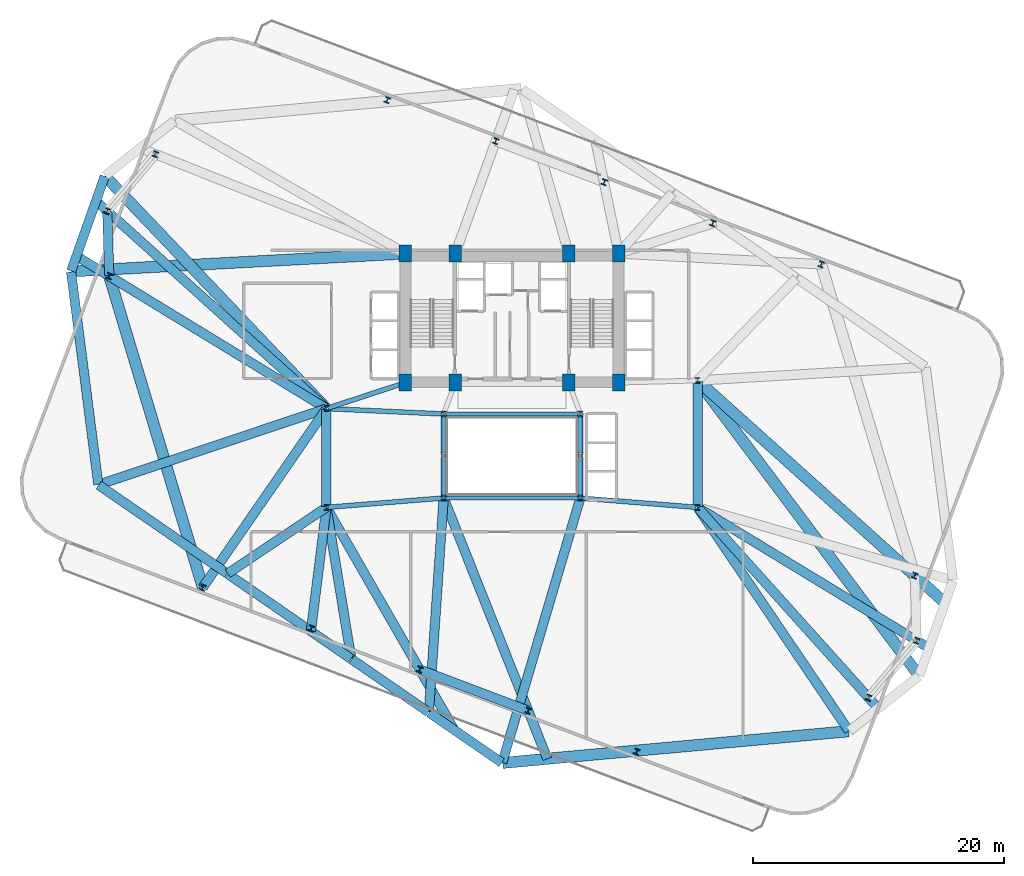
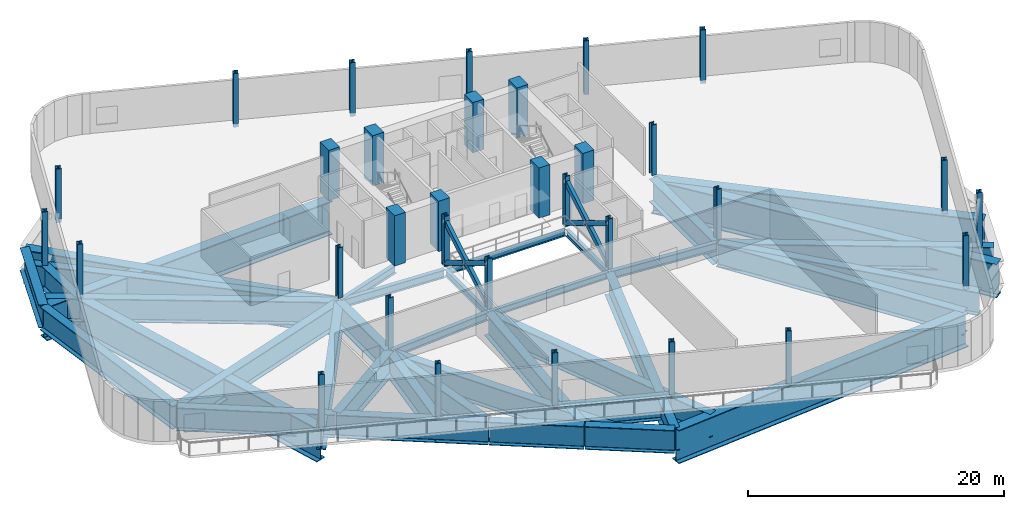
# One storey, part 1 of 11: 38 beams, 32 columns, 6 members.
"""IFC4 building model written with IfcOpenShell, lengths in metres."""

from ifc_helpers import new_model, si_unit, direction, frame, origin, origin_2d, place, context, subcontext, project, spatial, rectangle, hollow_rectangle, hollow_circle, i_section, extrude, material, material_profile, profile_set, type_object, element, save


model = new_model("IFC4")

# Units and contexts
model_context = context("Model", 3, precision=1e-05, world=origin(), true_north=direction((0.0, 1.0)))
body_context = subcontext(model_context, "Body", "Model", "MODEL_VIEW")
ifc_project = project(units=[si_unit("LENGTHUNIT", "METRE"), si_unit("AREAUNIT", "SQUARE_METRE"), si_unit("VOLUMEUNIT", "CUBIC_METRE"), si_unit("PLANEANGLEUNIT", "RADIAN"), si_unit("MASSUNIT", "GRAM", prefix="KILO")], contexts=[model_context])

# Site, building, storey
site_placement = place(None, origin())
site = spatial("IfcSite", under=ifc_project, at=site_placement, CompositionType="ELEMENT")
building_placement = place(site_placement, origin())
building = spatial("IfcBuilding", under=site, at=building_placement, Name="Varnelok Gate Tower", CompositionType="ELEMENT")
storey_placement = place(building_placement, frame((0.0, 0.0, 71.39990234375)))
storey = spatial("IfcBuildingStorey", under=building, at=storey_placement, Name="L17", CompositionType="ELEMENT", Elevation=71.39990234375)

# Columns
ifc_material_1 = material(Name="Concrete C70/85", Category="concrete")
ifc_material_profile_1 = material_profile(ifc_material_1, rectangle(XDim=1.0, YDim=1.35009765625, at=origin_2d()), Name="RC1350X1000")
ifc_profile_set_1 = profile_set([ifc_material_profile_1], Name="Concrete C70/85")
column_type_1 = type_object("IfcColumnType", Name="COL-RC1350X1000", PredefinedType="COLUMN", material=ifc_profile_set_1)
for number, where, z_axis, x_axis, name in (
    (1, (30.699951171875, 28.75, 0.0), (0.0, 0.0, 1.0), (1.0, 0.0, 0.0), "L17 Core Spine Column SC1"),
    (2, (34.679931640625, 28.75, 0.0), (0.0, 0.0, 1.0), (1.0, 0.0, 0.0), "L17 Core Spine Column SC2"),
    (3, (43.719970703125, 28.75, 0.0), (0.0, 0.0, 1.0), (1.0, 0.0, 0.0), "L17 Core Spine Column SC3"),
    (4, (47.699951171875, 28.75, 0.0), (0.0, 0.0, 1.0), (1.0, 0.0, 0.0), "L17 Core Spine Column SC4"),
    (5, (30.699951171875, 39.050048828125, 0.0), (0.0, 0.0, 1.0), (1.0, 0.0, 0.0), "L17 Core Spine Column SC5"),
    (6, (34.679931640625, 39.050048828125, 0.0), (0.0, 0.0, 1.0), (1.0, 0.0, 0.0), "L17 Core Spine Column SC6"),
    (7, (43.719970703125, 39.050048828125, 0.0), (0.0, 0.0, 1.0), (1.0, 0.0, 0.0), "L17 Core Spine Column SC7"),
    (8, (47.699951171875, 39.050048828125, 0.0), (0.0, 0.0, 1.0), (1.0, 0.0, 0.0), "L17 Core Spine Column SC8"),
):
    element("IfcColumn", number, at=place(storey_placement, frame(where, z_axis=z_axis, x_axis=x_axis)), inside=storey, type_object=column_type_1, Name=name, PredefinedType="COLUMN", context=body_context, shape_type="SweptSolid", body=[
        extrude(rectangle(XDim=1.0, YDim=1.35009765625, at=origin_2d()), origin(), (0.0, 0.0, 1.0), 4.800048828125),
    ])
ifc_material_2 = material(Name="Structural Steel ASTM A992 Grade 50", Category="steel")
ifc_material_profile_2 = material_profile(ifc_material_2, i_section(OverallWidth=0.424072265625, OverallDepth=0.47412109375, WebThickness=0.047607421875, FlangeThickness=0.0771484375, FilletRadius=0.02490234375, at=origin_2d()), Name="W14X426")
ifc_profile_set_2 = profile_set([ifc_material_profile_2], Name="Structural Steel ASTM A992 Grade 50")
column_type_2 = type_object("IfcColumnType", Name="COL-W14X426", PredefinedType="COLUMN", material=ifc_profile_set_2)
for number, where, z_axis, x_axis, name in (
    (9, (33.75, 19.550048828125, 0.0), (0.0, 0.0, 1.0), (1.0, 0.0, 0.0), "L17 Atrium Spine Column AC1"),
    (10, (44.64990234375, 19.550048828125, 0.0), (0.0, 0.0, 1.0), (1.0, 0.0, 0.0), "L17 Atrium Spine Column AC2"),
    (11, (33.75, 26.25, 0.0), (0.0, 0.0, 1.0), (1.0, 0.0, 0.0), "L17 Atrium Spine Column AC3"),
    (12, (44.64990234375, 26.25, 0.0), (0.0, 0.0, 1.0), (1.0, 0.0, 0.0), "L17 Atrium Spine Column AC4"),
    (13, (24.39990234375, 18.800048828125, 0.0), (0.0, 0.0, 1.0), (1.0, 0.0, 0.0), "L17 Wing Spine Column WS1"),
    (14, (24.39990234375, 26.679931640625, 0.0), (0.0, 0.0, 1.0), (1.0, 0.0, 0.0), "L17 Wing Spine Column WS2"),
    (15, (54.0, 18.800048828125, 0.0), (0.0, 0.0, 1.0), (1.0, 0.0, 0.0), "L17 Wing Spine Column ES1"),
    (16, (54.0, 28.919921875, 0.0), (0.0, 0.0, 1.0), (1.0, 0.0, 0.0), "L17 Wing Spine Column ES2"),
):
    element("IfcColumn", number, at=place(storey_placement, frame(where, z_axis=z_axis, x_axis=x_axis)), inside=storey, type_object=column_type_2, Name=name, PredefinedType="COLUMN", context=body_context, shape_type="SweptSolid", body=[
        extrude(i_section(OverallWidth=0.424072265625, OverallDepth=0.47412109375, WebThickness=0.047607421875, FlangeThickness=0.0771484375, FilletRadius=0.02490234375, at=origin_2d()), origin(), (0.0, 0.0, 1.0), 4.800048828125),
    ])
for number, where, z_axis, x_axis, name in (
    (17, (14.541015625, 12.416259765625, -0.31982421875), (0.0, 0.0, 1.0), (0.935221751401, -0.354062530786, 0.0), "L17 B2 Perimeter Column PC01"),
    (18, (23.19189453125, 9.14111328125, -0.31982421875), (0.0, 0.0, 1.0), (0.935221751401, -0.354062530786, 0.0), "L17 B2 Perimeter Column PC02"),
    (19, (31.842529296875, 5.8662109375, -0.31982421875), (0.0, 0.0, 1.0), (0.935221751401, -0.354062530786, 0.0), "L17 B2 Perimeter Column PC03"),
    (20, (40.493408203125, 2.591064453125, -0.31982421875), (0.0, 0.0, 1.0), (0.935221751401, -0.354062530786, 0.0), "L17 B2 Perimeter Column PC04"),
    (21, (49.144287109375, -0.68408203125, -0.31982421875), (0.0, 0.0, 1.0), (0.935221751401, -0.354062530786, 0.0), "L17 B2 Perimeter Column PC05"),
    (22, (67.63671875, 3.627685546875, -0.31982421875), (0.0, 0.0, 1.0), (0.935221751401, -0.354062530786, 0.0), "L17 B2 Perimeter Column PC06"),
    (23, (71.4765625, 8.172607421875, -0.31982421875), (0.0, 0.0, 1.0), (0.935221751401, -0.354062530786, 0.0), "L17 B2 Perimeter Column PC07"),
    (24, (71.319091796875, 13.35400390625, -0.31982421875), (0.0, 0.0, 1.0), (0.935221751401, -0.354062530786, 0.0), "L17 B2 Perimeter Column PC08"),
    (25, (63.85888671875, 38.183837890625, -0.31982421875), (0.0, 0.0, 1.0), (0.935221751401, -0.354062530786, 0.0), "L17 B2 Perimeter Column PC09"),
    (26, (55.208251953125, 41.458740234375, -0.31982421875), (0.0, 0.0, 1.0), (0.935221751401, -0.354062530786, 0.0), "L17 B2 Perimeter Column PC10"),
    (27, (46.557373046875, 44.73388671875, -0.31982421875), (0.0, 0.0, 1.0), (0.935221751401, -0.354062530786, 0.0), "L17 B2 Perimeter Column PC11"),
    (28, (37.906494140625, 48.009033203125, -0.31982421875), (0.0, 0.0, 1.0), (0.935221751401, -0.354062530786, 0.0), "L17 B2 Perimeter Column PC12"),
    (29, (29.255859375, 51.2841796875, -0.31982421875), (0.0, 0.0, 1.0), (0.935221751401, -0.354062530786, 0.0), "L17 B2 Perimeter Column PC13"),
    (30, (10.76318359375, 46.972412109375, -0.31982421875), (0.0, 0.0, 1.0), (0.935221751401, -0.354062530786, 0.0), "L17 B2 Perimeter Column PC14"),
    (31, (6.92333984375, 42.427490234375, -0.31982421875), (0.0, 0.0, 1.0), (0.935221751401, -0.354062530786, 0.0), "L17 B2 Perimeter Column PC15"),
    (32, (7.0810546875, 37.24609375, -0.31982421875), (0.0, 0.0, 1.0), (0.935221751401, -0.354062530786, 0.0), "L17 B2 Perimeter Column PC16"),
):
    element("IfcColumn", number, at=place(storey_placement, frame(where, z_axis=z_axis, x_axis=x_axis)), inside=storey, type_object=column_type_2, Name=name, PredefinedType="COLUMN", context=body_context, shape_type="SweptSolid", body=[
        extrude(i_section(OverallWidth=0.424072265625, OverallDepth=0.47412109375, WebThickness=0.047607421875, FlangeThickness=0.0771484375, FilletRadius=0.02490234375, at=origin_2d()), origin(), (0.0, 0.0, 1.0), 5.119873046875),
    ])

# Beams
ifc_material_profile_3 = material_profile(ifc_material_2, i_section(OverallWidth=0.381103515625, OverallDepth=0.77294921875, WebThickness=0.0166015625, FlangeThickness=0.027099609375, FilletRadius=0.02197265625, at=origin_2d()), Name="W30X173")
ifc_profile_set_3 = profile_set([ifc_material_profile_3], Name="Structural Steel ASTM A992 Grade 50")
beam_type_1 = type_object("IfcBeamType", Name="BM-PRI-W30X173", PredefinedType="BEAM", material=ifc_profile_set_3)
beam_1_placement = place(storey_placement, frame((24.51953125, 18.8095703125, -0.706298828125), z_axis=(0.996799206292, 0.07994587128, 0.0), x_axis=(-0.07994587128, 0.996799206292, 0.0)))
element("IfcBeam", 33, at=beam_1_placement, inside=storey, type_object=beam_type_1, Name="L17 Core-Atrium Spine Beam 14", PredefinedType="BEAM", context=body_context, shape_type="SweptSolid", body=[
    extrude(i_section(OverallWidth=0.381103515625, OverallDepth=0.77294921875, WebThickness=0.0166015625, FlangeThickness=0.027099609375, FilletRadius=0.02197265625, at=origin_2d()), origin(), (0.0, 0.0, 1.0), 9.14013671875),
])
beam_2_placement = place(storey_placement, frame((24.52001953125, 26.674560546875, -0.706298828125), z_axis=(0.99894427814, -0.045938319209, 0.0), x_axis=(0.045938319209, 0.99894427814, 0.0)))
element("IfcBeam", 34, at=beam_2_placement, inside=storey, type_object=beam_type_1, Name="L17 Core-Atrium Spine Beam 15", PredefinedType="BEAM", context=body_context, shape_type="SweptSolid", body=[
    extrude(i_section(OverallWidth=0.381103515625, OverallDepth=0.77294921875, WebThickness=0.0166015625, FlangeThickness=0.027099609375, FilletRadius=0.02197265625, at=origin_2d()), origin(), (0.0, 0.0, 1.0), 9.11962890625),
])
beam_3_placement = place(storey_placement, frame((24.513916015625, 26.717529296875, -0.706298828125), z_axis=(0.950041943788, 0.312122259768, 0.0), x_axis=(-0.312122259768, 0.950041943788, 0.0)))
element("IfcBeam", 35, at=beam_3_placement, inside=storey, type_object=beam_type_1, Name="L17 Core-Atrium Spine Beam 17", PredefinedType="BEAM", context=body_context, shape_type="SweptSolid", body=[
    extrude(i_section(OverallWidth=0.381103515625, OverallDepth=0.77294921875, WebThickness=0.0166015625, FlangeThickness=0.027099609375, FilletRadius=0.02197265625, at=origin_2d()), origin(), (0.0, 0.0, 1.0), 6.391357421875),
])
beam_4_placement = place(storey_placement, frame((44.76953125, 19.540283203125, -0.706298828125), z_axis=(0.996799206292, -0.07994587128, 0.0), x_axis=(0.07994587128, 0.996799206292, 0.0)))
element("IfcBeam", 36, at=beam_4_placement, inside=storey, type_object=beam_type_1, Name="L17 Core-Atrium Spine Beam 18", PredefinedType="BEAM", context=body_context, shape_type="SweptSolid", body=[
    extrude(i_section(OverallWidth=0.381103515625, OverallDepth=0.77294921875, WebThickness=0.0166015625, FlangeThickness=0.027099609375, FilletRadius=0.02197265625, at=origin_2d()), origin(), (0.0, 0.0, 1.0), 9.14013671875),
])
ifc_material_profile_4 = material_profile(ifc_material_2, i_section(OverallWidth=0.323974609375, OverallDepth=0.611083984375, WebThickness=0.0126953125, FlangeThickness=0.01904296875, FilletRadius=0.01806640625, at=origin_2d()), Name="W24X104")
ifc_profile_set_4 = profile_set([ifc_material_profile_4], Name="Structural Steel ASTM A992 Grade 50")
beam_type_2 = type_object("IfcBeamType", Name="BM-SPN-W24X104", PredefinedType="SPANDREL", material=ifc_profile_set_4)
for number, where, z_axis, x_axis, name in (
    (37, (33.8701171875, 19.550048828125, -0.62548828125), (1.0, 0.0, 0.0), (0.0, 1.0, 0.0), "L17 Core-Atrium Spine Beam 8"),
    (38, (33.8701171875, 26.25, -0.62548828125), (1.0, 0.0, 0.0), (0.0, 1.0, 0.0), "L17 Core-Atrium Spine Beam 9"),
):
    element("IfcBeam", number, at=place(storey_placement, frame(where, z_axis=z_axis, x_axis=x_axis)), inside=storey, type_object=beam_type_2, Name=name, PredefinedType="SPANDREL", context=body_context, shape_type="SweptSolid", body=[
        extrude(i_section(OverallWidth=0.323974609375, OverallDepth=0.611083984375, WebThickness=0.0126953125, FlangeThickness=0.01904296875, FilletRadius=0.01806640625, at=origin_2d()), origin(), (0.0, 0.0, 1.0), 10.659912109375),
    ])
for number, where, z_axis, x_axis, name in (
    (39, (33.75, 19.669921875, -0.62548828125), (0.0, 1.0, 0.0), (-1.0, 0.0, 0.0), "L17 Core-Atrium Spine Beam 10"),
    (40, (44.64990234375, 19.669921875, -0.62548828125), (0.0, 1.0, 0.0), (-1.0, 0.0, 0.0), "L17 Core-Atrium Spine Beam 11"),
):
    element("IfcBeam", number, at=place(storey_placement, frame(where, z_axis=z_axis, x_axis=x_axis)), inside=storey, type_object=beam_type_2, Name=name, PredefinedType="SPANDREL", context=body_context, shape_type="SweptSolid", body=[
        extrude(i_section(OverallWidth=0.323974609375, OverallDepth=0.611083984375, WebThickness=0.0126953125, FlangeThickness=0.01904296875, FilletRadius=0.01806640625, at=origin_2d()), origin(), (0.0, 0.0, 1.0), 6.4599609375),
    ])
ifc_material_3 = material(Name="Structural Steel ASTM A572 Grade 50", Category="steel")
ifc_material_profile_5 = material_profile(ifc_material_3, i_section(OverallWidth=0.75, OverallDepth=2.199951171875, WebThickness=0.031982421875, FlangeThickness=0.06005859375, FilletRadius=0.028076171875, at=origin_2d()), Name="PG2200X750")
ifc_profile_set_5 = profile_set([ifc_material_profile_5], Name="Structural Steel ASTM A572 Grade 50")
beam_type_3 = type_object("IfcBeamType", Name="BM-TR-PG2200", PredefinedType="BEAM", material=ifc_profile_set_5)
beam_5_placement = place(storey_placement, frame((24.39990234375, 18.8798828125, -1.419921875), z_axis=(0.0, 1.0, 0.0), x_axis=(-1.0, 0.0, 0.0)))
element("IfcBeam", 41, at=beam_5_placement, inside=storey, type_object=beam_type_3, Name="L17 Wing Spine Transfer Header W", PredefinedType="BEAM", context=body_context, shape_type="SweptSolid", body=[
    extrude(i_section(OverallWidth=0.75, OverallDepth=2.199951171875, WebThickness=0.031982421875, FlangeThickness=0.06005859375, FilletRadius=0.028076171875, at=origin_2d()), origin(), (0.0, 0.0, 1.0), 7.72021484375),
])
beam_6_placement = place(storey_placement, frame((54.0, 18.8798828125, -1.419921875), z_axis=(0.0, 1.0, 0.0), x_axis=(-1.0, 0.0, 0.0)))
element("IfcBeam", 42, at=beam_6_placement, inside=storey, type_object=beam_type_3, Name="L17 Wing Spine Transfer Header E", PredefinedType="BEAM", context=body_context, shape_type="SweptSolid", body=[
    extrude(i_section(OverallWidth=0.75, OverallDepth=2.199951171875, WebThickness=0.031982421875, FlangeThickness=0.06005859375, FilletRadius=0.028076171875, at=origin_2d()), origin(), (0.0, 0.0, 1.0), 9.960205078125),
])
beam_7_placement = place(storey_placement, frame((6.247314453125, 20.580078125, -1.419921875), z_axis=(0.823541475602, -0.567256060314, 0.0), x_axis=(0.567256060314, 0.823541475602, 0.0)))
element("IfcBeam", 43, at=beam_7_placement, inside=storey, type_object=beam_type_3, Name="L17 Transfer Support Ring Girder 1", PredefinedType="BEAM", context=body_context, shape_type="SweptSolid", body=[
    extrude(i_section(OverallWidth=0.75, OverallDepth=2.199951171875, WebThickness=0.031982421875, FlangeThickness=0.06005859375, FilletRadius=0.028076171875, at=origin_2d()), origin(), (0.0, 0.0, 1.0), 12.420166015625),
])
beam_8_placement = place(storey_placement, frame((16.54150390625, 13.4892578125, -1.419921875), z_axis=(0.823531840328, -0.567270048536, 0.0), x_axis=(0.567270048536, 0.823531840328, 0.0)))
element("IfcBeam", 44, at=beam_8_placement, inside=storey, type_object=beam_type_3, Name="L17 Transfer Support Ring Girder 2", PredefinedType="BEAM", context=body_context, shape_type="SweptSolid", body=[
    extrude(i_section(OverallWidth=0.75, OverallDepth=2.199951171875, WebThickness=0.031982421875, FlangeThickness=0.06005859375, FilletRadius=0.028076171875, at=origin_2d()), origin(), (0.0, 0.0, 1.0), 11.920166015625),
])
beam_9_placement = place(storey_placement, frame((26.424072265625, 6.681884765625, -1.419921875), z_axis=(0.823541417634, -0.567256144473, 0.0), x_axis=(0.567256144473, 0.823541417634, 0.0)))
element("IfcBeam", 45, at=beam_9_placement, inside=storey, type_object=beam_type_3, Name="L17 Transfer Support Ring Girder 3", PredefinedType="BEAM", context=body_context, shape_type="SweptSolid", body=[
    extrude(i_section(OverallWidth=0.75, OverallDepth=2.199951171875, WebThickness=0.031982421875, FlangeThickness=0.06005859375, FilletRadius=0.028076171875, at=origin_2d()), origin(), (0.0, 0.0, 1.0), 7.419921875),
])
beam_10_placement = place(storey_placement, frame((32.6005859375, 2.427490234375, -1.419921875), z_axis=(0.82352709808, -0.567276933012, 0.0), x_axis=(0.567276933012, 0.82352709808, 0.0)))
element("IfcBeam", 46, at=beam_10_placement, inside=storey, type_object=beam_type_3, Name="L17 Transfer Support Ring Girder 4", PredefinedType="BEAM", context=body_context, shape_type="SweptSolid", body=[
    extrude(i_section(OverallWidth=0.75, OverallDepth=2.199951171875, WebThickness=0.031982421875, FlangeThickness=0.06005859375, FilletRadius=0.028076171875, at=origin_2d()), origin(), (0.0, 0.0, 1.0), 7.019775390625),
])
beam_11_placement = place(storey_placement, frame((6.716552734375, 45.19970703125, -1.419921875), z_axis=(-0.333894612912, -0.942610411288, 0.0), x_axis=(0.942610411288, -0.333894612912, 0.0)))
element("IfcBeam", 47, at=beam_11_placement, inside=storey, type_object=beam_type_3, Name="L17 Transfer Support Ring Girder 15", PredefinedType="BEAM", context=body_context, shape_type="SweptSolid", body=[
    extrude(i_section(OverallWidth=0.75, OverallDepth=2.199951171875, WebThickness=0.031982421875, FlangeThickness=0.06005859375, FilletRadius=0.028076171875, at=origin_2d()), origin(), (0.0, 0.0, 1.0), 7.9970703125),
])
beam_12_placement = place(storey_placement, frame((4.0380859375, 37.583984375, -1.419921875), z_axis=(0.127128618509, -0.991886240632, 0.0), x_axis=(0.991886240632, 0.127128618509, 0.0)))
element("IfcBeam", 48, at=beam_12_placement, inside=storey, type_object=beam_type_3, Name="L17 Transfer Support Ring Girder 16", PredefinedType="BEAM", context=body_context, shape_type="SweptSolid", body=[
    extrude(i_section(OverallWidth=0.75, OverallDepth=2.199951171875, WebThickness=0.031982421875, FlangeThickness=0.06005859375, FilletRadius=0.028076171875, at=origin_2d()), origin(), (0.0, 0.0, 1.0), 17.080322265625),
])
beam_13_placement = place(storey_placement, frame((24.362060546875, 26.667236328125, -1.419921875), z_axis=(-0.948443924434, -0.316944982931, 0.0), x_axis=(0.316944982931, -0.948443924434, 0.0)))
element("IfcBeam", 49, at=beam_13_placement, inside=storey, type_object=beam_type_3, Name="L17 Radial Transfer Main Girder 1", PredefinedType="BEAM", context=body_context, shape_type="SweptSolid", body=[
    extrude(i_section(OverallWidth=0.75, OverallDepth=2.199951171875, WebThickness=0.031982421875, FlangeThickness=0.06005859375, FilletRadius=0.028076171875, at=origin_2d()), origin(), (0.0, 0.0, 1.0), 19.093994140625),
])
beam_14_placement = place(storey_placement, frame((24.36669921875, 18.777587890625, -1.419921875), z_axis=(-0.830728025293, -0.556678496075, 0.0), x_axis=(0.556678496075, -0.830728025293, 0.0)))
element("IfcBeam", 50, at=beam_14_placement, inside=storey, type_object=beam_type_3, Name="L17 Radial Transfer Main Girder 2", PredefinedType="BEAM", context=body_context, shape_type="SweptSolid", body=[
    extrude(i_section(OverallWidth=0.75, OverallDepth=2.199951171875, WebThickness=0.031982421875, FlangeThickness=0.06005859375, FilletRadius=0.028076171875, at=origin_2d()), origin(), (0.0, 0.0, 1.0), 9.419189453125),
])
beam_15_placement = place(storey_placement, frame((24.406494140625, 18.760498046875, -1.419921875), z_axis=(0.162425328266, -0.986720838301, 0.0), x_axis=(0.986720838301, 0.162425328266, 0.0)))
element("IfcBeam", 51, at=beam_15_placement, inside=storey, type_object=beam_type_3, Name="L17 Radial Transfer Main Girder 3", PredefinedType="BEAM", context=body_context, shape_type="SweptSolid", body=[
    extrude(i_section(OverallWidth=0.75, OverallDepth=2.199951171875, WebThickness=0.031982421875, FlangeThickness=0.06005859375, FilletRadius=0.028076171875, at=origin_2d()), origin(), (0.0, 0.0, 1.0), 12.177978515625),
])
beam_16_placement = place(storey_placement, frame((33.747314453125, 19.510009765625, -1.419921875), z_axis=(-0.068989206128, -0.997617406343, 0.0), x_axis=(0.997617406343, -0.068989206128, 0.0)))
element("IfcBeam", 52, at=beam_16_placement, inside=storey, type_object=beam_type_3, Name="L17 Radial Transfer Main Girder 4", PredefinedType="BEAM", context=body_context, shape_type="SweptSolid", body=[
    extrude(i_section(OverallWidth=0.75, OverallDepth=2.199951171875, WebThickness=0.031982421875, FlangeThickness=0.06005859375, FilletRadius=0.028076171875, at=origin_2d()), origin(), (0.0, 0.0, 1.0), 17.060546875),
])
beam_17_placement = place(storey_placement, frame((44.638671875, 19.51171875, -1.419921875), z_axis=(-0.283067120424, -0.959100101832, 0.0), x_axis=(0.959100101832, -0.283067120424, 0.0)))
element("IfcBeam", 53, at=beam_17_placement, inside=storey, type_object=beam_type_3, Name="L17 Radial Transfer Main Girder 5", PredefinedType="BEAM", context=body_context, shape_type="SweptSolid", body=[
    extrude(i_section(OverallWidth=0.75, OverallDepth=2.199951171875, WebThickness=0.031982421875, FlangeThickness=0.06005859375, FilletRadius=0.028076171875, at=origin_2d()), origin(), (0.0, 0.0, 1.0), 21.948486328125),
])
beam_18_placement = place(storey_placement, frame((54.0224609375, 18.766845703125, -1.419921875), z_axis=(0.560678197039, -0.828033791198, 0.0), x_axis=(0.828033791198, 0.560678197039, 0.0)))
element("IfcBeam", 54, at=beam_18_placement, inside=storey, type_object=beam_type_3, Name="L17 Radial Transfer Main Girder 6", PredefinedType="BEAM", context=body_context, shape_type="SweptSolid", body=[
    extrude(i_section(OverallWidth=0.75, OverallDepth=2.199951171875, WebThickness=0.031982421875, FlangeThickness=0.06005859375, FilletRadius=0.028076171875, at=origin_2d()), origin(), (0.0, 0.0, 1.0), 21.47412109375),
])
beam_19_placement = place(storey_placement, frame((24.343017578125, 26.59765625, -1.419921875), z_axis=(-0.568586804366, -0.822623270946, 0.0), x_axis=(0.822623270946, -0.568586804366, 0.0)))
element("IfcBeam", 55, at=beam_19_placement, inside=storey, type_object=beam_type_3, Name="L17 Column Transfer Carrier Girder 1", PredefinedType="BEAM", context=body_context, shape_type="SweptSolid", body=[
    extrude(i_section(OverallWidth=0.75, OverallDepth=2.199951171875, WebThickness=0.031982421875, FlangeThickness=0.06005859375, FilletRadius=0.028076171875, at=origin_2d()), origin(), (0.0, 0.0, 1.0), 17.2392578125),
])
beam_20_placement = place(storey_placement, frame((24.3876953125, 18.70068359375, -1.419921875), z_axis=(-0.124126250098, -0.992266432989, 0.0), x_axis=(0.992266432989, -0.124126250098, 0.0)))
element("IfcBeam", 56, at=beam_20_placement, inside=storey, type_object=beam_type_3, Name="L17 Column Transfer Carrier Girder 2", PredefinedType="BEAM", context=body_context, shape_type="SweptSolid", body=[
    extrude(i_section(OverallWidth=0.75, OverallDepth=2.199951171875, WebThickness=0.031982421875, FlangeThickness=0.06005859375, FilletRadius=0.028076171875, at=origin_2d()), origin(), (0.0, 0.0, 1.0), 9.85009765625),
])
beam_21_placement = place(storey_placement, frame((24.449951171875, 18.71337890625, -1.419921875), z_axis=(0.498749501849, -0.866746176459, 0.0), x_axis=(0.866746176459, 0.498749501849, 0.0)))
element("IfcBeam", 57, at=beam_21_placement, inside=storey, type_object=beam_type_3, Name="L17 Column Transfer Carrier Girder 3", PredefinedType="BEAM", context=body_context, shape_type="SweptSolid", body=[
    extrude(i_section(OverallWidth=0.75, OverallDepth=2.199951171875, WebThickness=0.031982421875, FlangeThickness=0.06005859375, FilletRadius=0.028076171875, at=origin_2d()), origin(), (0.0, 0.0, 1.0), 20.397216796875),
])
beam_22_placement = place(storey_placement, frame((33.786865234375, 19.45703125, -1.419921875), z_axis=(0.369493200552, -0.929233433937, 0.0), x_axis=(0.929233433937, 0.369493200552, 0.0)))
element("IfcBeam", 58, at=beam_22_placement, inside=storey, type_object=beam_type_3, Name="L17 Column Transfer Carrier Girder 4", PredefinedType="BEAM", context=body_context, shape_type="SweptSolid", body=[
    extrude(i_section(OverallWidth=0.75, OverallDepth=2.199951171875, WebThickness=0.031982421875, FlangeThickness=0.06005859375, FilletRadius=0.028076171875, at=origin_2d()), origin(), (0.0, 0.0, 1.0), 22.28173828125),
])
beam_23_placement = place(storey_placement, frame((54.06689453125, 18.7255859375, -1.419921875), z_axis=(0.668470092738, -0.743739023526, 0.0), x_axis=(0.743739023526, 0.668470092738, 0.0)))
element("IfcBeam", 59, at=beam_23_placement, inside=storey, type_object=beam_type_3, Name="L17 Column Transfer Carrier Girder 6", PredefinedType="BEAM", context=body_context, shape_type="SweptSolid", body=[
    extrude(i_section(OverallWidth=0.75, OverallDepth=2.199951171875, WebThickness=0.031982421875, FlangeThickness=0.06005859375, FilletRadius=0.028076171875, at=origin_2d()), origin(), (0.0, 0.0, 1.0), 21.43994140625),
])
beam_24_placement = place(storey_placement, frame((54.08544921875, 18.748046875, -1.419921875), z_axis=(0.854426752733, -0.519571866265, 0.0), x_axis=(0.519571866265, 0.854426752733, 0.0)))
element("IfcBeam", 60, at=beam_24_placement, inside=storey, type_object=beam_type_3, Name="L17 Column Transfer Carrier Girder 7", PredefinedType="BEAM", context=body_context, shape_type="SweptSolid", body=[
    extrude(i_section(OverallWidth=0.75, OverallDepth=2.199951171875, WebThickness=0.031982421875, FlangeThickness=0.06005859375, FilletRadius=0.028076171875, at=origin_2d()), origin(), (0.0, 0.0, 1.0), 21.498779296875),
])
beam_25_placement = place(storey_placement, frame((24.32568359375, 26.746826171875, -1.419921875), z_axis=(-0.742899347791, 0.669403136422, 0.0), x_axis=(-0.669403136422, -0.742899347791, 0.0)))
element("IfcBeam", 61, at=beam_25_placement, inside=storey, type_object=beam_type_3, Name="L17 Column Transfer Carrier Girder 15", PredefinedType="BEAM", context=body_context, shape_type="SweptSolid", body=[
    extrude(i_section(OverallWidth=0.75, OverallDepth=2.199951171875, WebThickness=0.031982421875, FlangeThickness=0.06005859375, FilletRadius=0.028076171875, at=origin_2d()), origin(), (0.0, 0.0, 1.0), 24.637939453125),
])
beam_26_placement = place(storey_placement, frame((24.314697265625, 26.732177734375, -1.419921875), z_axis=(-0.853674014554, 0.520807715838, 0.0), x_axis=(-0.520807715838, -0.853674014554, 0.0)))
element("IfcBeam", 62, at=beam_26_placement, inside=storey, type_object=beam_type_3, Name="L17 Column Transfer Carrier Girder 16", PredefinedType="BEAM", context=body_context, shape_type="SweptSolid", body=[
    extrude(i_section(OverallWidth=0.75, OverallDepth=2.199951171875, WebThickness=0.031982421875, FlangeThickness=0.06005859375, FilletRadius=0.028076171875, at=origin_2d()), origin(), (0.0, 0.0, 1.0), 23.25244140625),
])
beam_27_placement = place(storey_placement, frame((31.8798828125, 5.851806640625, -1.419921875), z_axis=(0.935230515121, -0.354039381407, 0.0), x_axis=(0.354039381407, 0.935230515121, 0.0)))
element("IfcBeam", 63, at=beam_27_placement, inside=storey, type_object=beam_type_3, Name="L17 Upper Perimeter Transfer Ring 3", PredefinedType="BEAM", context=body_context, shape_type="SweptSolid", body=[
    extrude(i_section(OverallWidth=0.75, OverallDepth=2.199951171875, WebThickness=0.031982421875, FlangeThickness=0.06005859375, FilletRadius=0.028076171875, at=origin_2d()), origin(), (0.0, 0.0, 1.0), 9.170166015625),
])
beam_28_placement = place(storey_placement, frame((6.924560546875, 42.387451171875, -1.419921875), z_axis=(0.030422359137, -0.999537132909, 0.0), x_axis=(0.999537132909, 0.030422359137, 0.0)))
element("IfcBeam", 64, at=beam_28_placement, inside=storey, type_object=beam_type_3, Name="L17 Upper Perimeter Transfer Ring 15", PredefinedType="BEAM", context=body_context, shape_type="SweptSolid", body=[
    extrude(i_section(OverallWidth=0.75, OverallDepth=2.199951171875, WebThickness=0.031982421875, FlangeThickness=0.06005859375, FilletRadius=0.028076171875, at=origin_2d()), origin(), (0.0, 0.0, 1.0), 5.10400390625),
])
ifc_material_profile_6 = material_profile(ifc_material_3, i_section(OverallWidth=0.89990234375, OverallDepth=3.199951171875, WebThickness=0.0400390625, FlangeThickness=0.074951171875, FilletRadius=0.030029296875, at=origin_2d()), Name="PG3200X900")
ifc_profile_set_6 = profile_set([ifc_material_profile_6], Name="Structural Steel ASTM A572 Grade 50")
beam_type_4 = type_object("IfcBeamType", Name="BM-TR-PG3200", PredefinedType="BEAM", material=ifc_profile_set_6)
beam_29_placement = place(storey_placement, frame((38.454345703125, -1.573974609375, -1.919921875), z_axis=(0.995845179363, 0.09106249908, 0.0), x_axis=(-0.09106249908, 0.995845179363, 0.0)))
element("IfcBeam", 65, at=beam_29_placement, inside=storey, type_object=beam_type_4, Name="L17 Transfer Support Ring Girder 5", PredefinedType="BEAM", context=body_context, shape_type="SweptSolid", body=[
    extrude(i_section(OverallWidth=0.89990234375, OverallDepth=3.199951171875, WebThickness=0.0400390625, FlangeThickness=0.074951171875, FilletRadius=0.030029296875, at=origin_2d()), origin(), (0.0, 0.0, 1.0), 27.70556640625),
])
beam_30_placement = place(storey_placement, frame((54.02392578125, 28.887939453125, -1.919921875), z_axis=(0.600043892582, -0.799967078682, 0.0), x_axis=(0.799967078682, 0.600043892582, 0.0)))
element("IfcBeam", 66, at=beam_30_placement, inside=storey, type_object=beam_type_4, Name="L17 Radial Transfer Main Girder 7", PredefinedType="BEAM", context=body_context, shape_type="SweptSolid", body=[
    extrude(i_section(OverallWidth=0.89990234375, OverallDepth=3.199951171875, WebThickness=0.0400390625, FlangeThickness=0.074951171875, FilletRadius=0.030029296875, at=origin_2d()), origin(), (0.0, 0.0, 1.0), 29.367919921875),
])
beam_31_placement = place(storey_placement, frame((24.372314453125, 26.708984375, -1.919921875), z_axis=(-0.689576412398, 0.724212932406, 0.0), x_axis=(-0.724212932406, -0.689576412398, 0.0)))
element("IfcBeam", 67, at=beam_31_placement, inside=storey, type_object=beam_type_4, Name="L17 Radial Transfer Main Girder 15", PredefinedType="BEAM", context=body_context, shape_type="SweptSolid", body=[
    extrude(i_section(OverallWidth=0.89990234375, OverallDepth=3.199951171875, WebThickness=0.0400390625, FlangeThickness=0.074951171875, FilletRadius=0.030029296875, at=origin_2d()), origin(), (0.0, 0.0, 1.0), 25.544189453125),
])
beam_32_placement = place(storey_placement, frame((30.66015625, 39.0478515625, -1.919921875), z_axis=(-0.998573017553, -0.053403451339, 0.0), x_axis=(0.053403451339, -0.998573017553, 0.0)))
element("IfcBeam", 68, at=beam_32_placement, inside=storey, type_object=beam_type_4, Name="L17 Radial Transfer Main Girder 16", PredefinedType="BEAM", context=body_context, shape_type="SweptSolid", body=[
    extrude(i_section(OverallWidth=0.89990234375, OverallDepth=3.199951171875, WebThickness=0.0400390625, FlangeThickness=0.074951171875, FilletRadius=0.030029296875, at=origin_2d()), origin(), (0.0, 0.0, 1.0), 26.625244140625),
])
beam_33_placement = place(storey_placement, frame((54.074462890625, 28.853271484375, -1.919921875), z_axis=(0.74373995134, -0.668469060451, 0.0), x_axis=(0.668469060451, 0.74373995134, 0.0)))
element("IfcBeam", 69, at=beam_33_placement, inside=storey, type_object=beam_type_4, Name="L17 Column Transfer Carrier Girder 8", PredefinedType="BEAM", context=body_context, shape_type="SweptSolid", body=[
    extrude(i_section(OverallWidth=0.89990234375, OverallDepth=3.199951171875, WebThickness=0.0400390625, FlangeThickness=0.074951171875, FilletRadius=0.030029296875, at=origin_2d()), origin(), (0.0, 0.0, 1.0), 26.43115234375),
])
beam_34_placement = place(storey_placement, frame((7.092529296875, 37.207763671875, -1.919921875), z_axis=(0.287740428783, -0.957708434569, 0.0), x_axis=(0.957708434569, 0.287740428783, 0.0)))
element("IfcBeam", 70, at=beam_34_placement, inside=storey, type_object=beam_type_4, Name="L17 Upper Perimeter Transfer Ring 16", PredefinedType="BEAM", context=body_context, shape_type="SweptSolid", body=[
    extrude(i_section(OverallWidth=0.89990234375, OverallDepth=3.199951171875, WebThickness=0.0400390625, FlangeThickness=0.074951171875, FilletRadius=0.030029296875, at=origin_2d()), origin(), (0.0, 0.0, 1.0), 25.84619140625),
])

# Members
ifc_material_4 = material(Name="Structural Steel ASTM A500 Grade C", Category="steel")
ifc_material_profile_7 = material_profile(ifc_material_4, hollow_rectangle(XDim=0.300048828125, YDim=0.5, WallThickness=0.02001953125, at=origin_2d()), Name="HSS500X300X20")
ifc_profile_set_7 = profile_set([ifc_material_profile_7], Name="Structural Steel ASTM A500 Grade C")
member_type_1 = type_object("IfcMemberType", Name="MEM-OUT-BRACE1", PredefinedType="BRACE", material=ifc_profile_set_7)
for number, where, z_axis, x_axis, name in (
    (71, (33.75, 19.550048828125, 0.2001953125), (0.0, 0.858619967627, 0.512612671705), (-1.0, 0.0, 0.0), "L17 Plant Outrigger Diagonal 1"),
    (72, (44.64990234375, 19.550048828125, 0.2001953125), (0.0, 0.858619967627, 0.512612671705), (-1.0, 0.0, 0.0), "L17 Plant Outrigger Diagonal 2"),
):
    element("IfcMember", number, at=place(storey_placement, frame(where, z_axis=z_axis, x_axis=x_axis)), inside=storey, type_object=member_type_1, Name=name, PredefinedType="BRACE", context=body_context, shape_type="SweptSolid", body=[
        extrude(hollow_rectangle(XDim=0.300048828125, YDim=0.5, WallThickness=0.02001953125, at=origin_2d()), origin(), (0.0, 0.0, 1.0), 7.80322265625),
    ])
ifc_material_profile_8 = material_profile(ifc_material_4, hollow_circle(Radius=0.228515625, WallThickness=0.02001953125, at=origin_2d()), Name="CHS457X20")
ifc_profile_set_8 = profile_set([ifc_material_profile_8], Name="Structural Steel ASTM A500 Grade C")
member_type_2 = type_object("IfcMemberType", Name="MEM-TRUSS-DIAG", PredefinedType="BRACE", material=ifc_profile_set_8)
for number, where, z_axis, x_axis, name in (
    (73, (33.75, 26.25, 0.2001953125), (0.0, -0.858625968147, 0.512602620773), (1.0, 0.0, 0.0), "L17 Plant Outrigger Counter-Diagonal 1A"),
    (74, (33.75, 22.711181640625, 2.31298828125), (0.0, -0.858625968147, 0.512602620773), (1.0, 0.0, 0.0), "L17 Plant Outrigger Counter-Diagonal 1B"),
    (75, (44.64990234375, 26.25, 0.2001953125), (0.0, -0.858625968147, 0.512602620773), (1.0, 0.0, 0.0), "L17 Plant Outrigger Counter-Diagonal 2A"),
    (76, (44.64990234375, 22.711181640625, 2.31298828125), (0.0, -0.858625968147, 0.512602620773), (1.0, 0.0, 0.0), "L17 Plant Outrigger Counter-Diagonal 2B"),
):
    element("IfcMember", number, at=place(storey_placement, frame(where, z_axis=z_axis, x_axis=x_axis)), inside=storey, type_object=member_type_2, Name=name, PredefinedType="BRACE", context=body_context, shape_type="SweptSolid", body=[
        extrude(hollow_circle(Radius=0.228515625, WallThickness=0.02001953125, at=origin_2d()), origin(), (0.0, 0.0, 1.0), 3.681640625),
    ])

save(model, "model.ifc")
